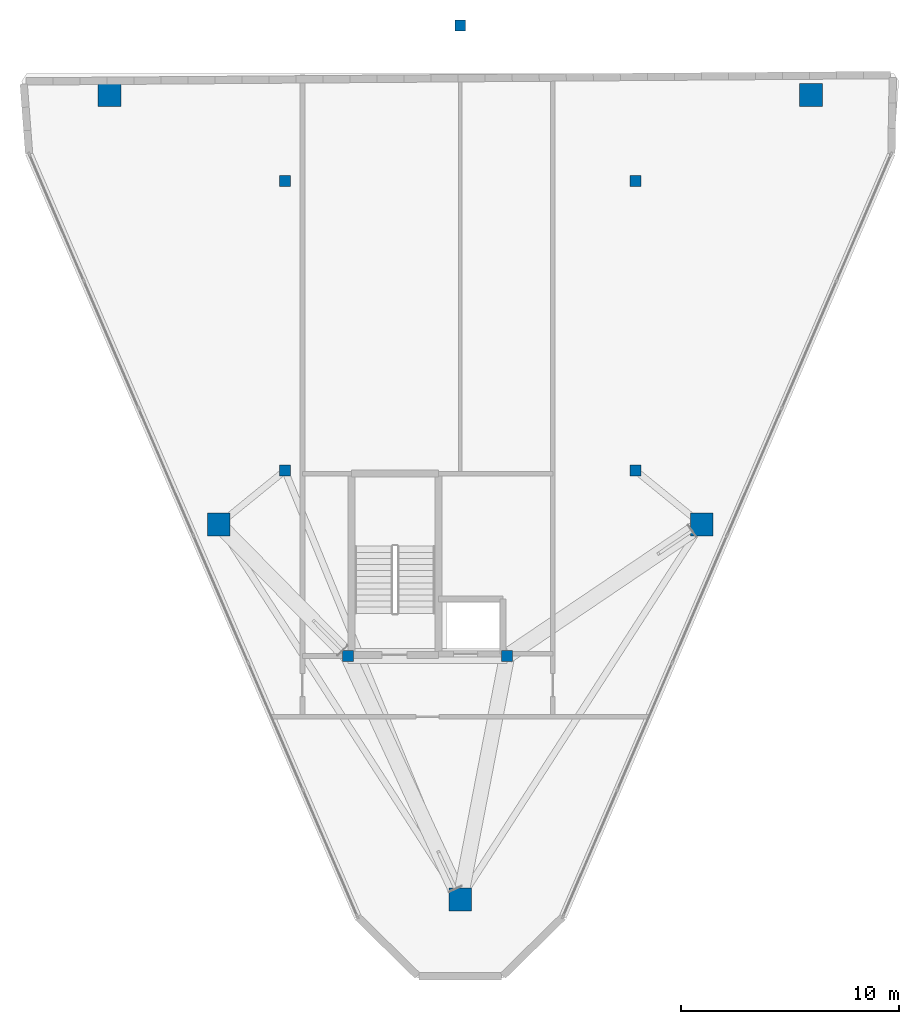
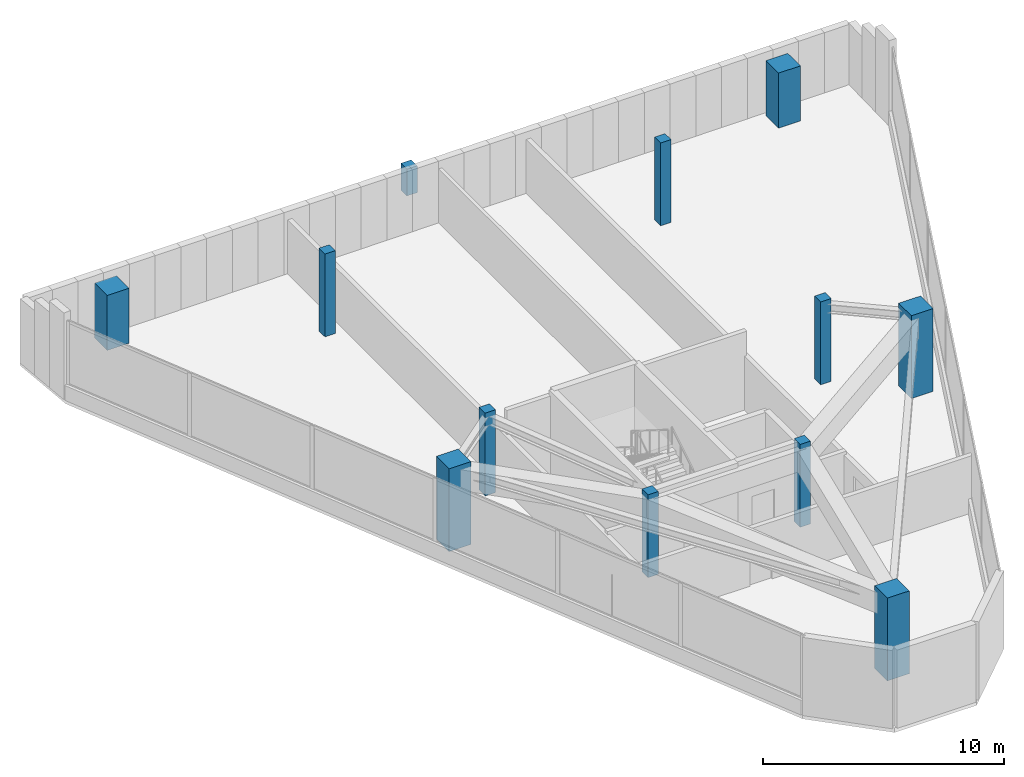
# One storey, part 1 of 7: 12 columns.
"""IFC4 building model written with IfcOpenShell, lengths in metres."""

from ifc_helpers import new_model, si_unit, direction, frame, origin, origin_2d, place, context, subcontext, project, spatial, rectangle, extrude, material, material_profile, profile_set, type_object, element, save


model = new_model("IFC4")

# Units and contexts
model_context = context("Model", 3, precision=1e-05, world=origin(), true_north=direction((0.0, 1.0)))
body_context = subcontext(model_context, "Body", "Model", "MODEL_VIEW")
ifc_project = project(units=[si_unit("LENGTHUNIT", "METRE"), si_unit("AREAUNIT", "SQUARE_METRE"), si_unit("VOLUMEUNIT", "CUBIC_METRE"), si_unit("PLANEANGLEUNIT", "RADIAN"), si_unit("MASSUNIT", "GRAM", prefix="KILO")], contexts=[model_context])

# Site, building, storey
site_placement = place(None, origin())
site = spatial("IfcSite", under=ifc_project, at=site_placement, CompositionType="ELEMENT")
building_placement = place(site_placement, origin())
building = spatial("IfcBuilding", under=site, at=building_placement, Name="Talyreon Biosciences Tower", CompositionType="ELEMENT")
storey_placement = place(building_placement, frame((0.0, 0.0, 321.39990234375)))
storey = spatial("IfcBuildingStorey", under=building, at=storey_placement, Name="L85", CompositionType="ELEMENT", Elevation=321.39990234375)

# Columns
ifc_material = material(Name="Concrete C50/60", Category="concrete")
ifc_material_profile_1 = material_profile(ifc_material, rectangle(XDim=0.5, YDim=0.5, at=origin_2d()), Name="RC 500x500")
ifc_profile_set_1 = profile_set([ifc_material_profile_1], Name="Concrete C50/60")
column_type_1 = type_object("IfcColumnType", Name="CrownColumn_500", PredefinedType="COLUMN", material=ifc_profile_set_1)
for number, where, z_axis, x_axis, name in (
    (1, (57.949951171875, 61.35009765625, 0.0), (0.0, 0.0, 1.0), (1.0, 0.0, 0.0), "L85 Core Column CC1"),
    (2, (74.050048828125, 61.35009765625, 0.0), (0.0, 0.0, 1.0), (1.0, 0.0, 0.0), "L85 Core Column CC2"),
    (3, (74.050048828125, 74.64990234375, 0.0), (0.0, 0.0, 1.0), (1.0, 0.0, 0.0), "L85 Core Column CC3"),
    (4, (57.949951171875, 74.64990234375, 0.0), (0.0, 0.0, 1.0), (1.0, 0.0, 0.0), "L85 Core Column CC4"),
    (5, (60.85009765625, 52.840087890625, 0.0), (0.0, 0.0, 1.0), (1.0, 0.0, 0.0), "L85 Core Column CSW"),
    (6, (68.14990234375, 52.840087890625, 0.0), (0.0, 0.0, 1.0), (1.0, 0.0, 0.0), "L85 Core Column CSE"),
):
    element("IfcColumn", number, at=place(storey_placement, frame(where, z_axis=z_axis, x_axis=x_axis)), inside=storey, type_object=column_type_1, Name=name, PredefinedType="COLUMN", context=body_context, shape_type="SweptSolid", body=[
        extrude(rectangle(XDim=0.5, YDim=0.5, at=origin_2d()), origin(), (0.0, 0.0, 1.0), 4.2001953125),
    ])
column_1_placement = place(storey_placement, frame((66.0, 81.788818359375, 0.0), z_axis=(0.0, 0.0, 1.0), x_axis=(1.0, 0.0, 0.0)))
element("IfcColumn", 7, at=column_1_placement, inside=storey, type_object=column_type_1, Name="Crown Roof Support Post MC5", PredefinedType="COLUMN", context=body_context, shape_type="SweptSolid", body=[
    extrude(rectangle(XDim=0.5, YDim=0.5, at=origin_2d()), origin(), (0.0, 0.0, 1.0), 1.355224609375),
])
ifc_material_profile_2 = material_profile(ifc_material, rectangle(XDim=1.050048828125, YDim=1.050048828125, at=origin_2d()), Name="RC 1050x1050")
ifc_profile_set_2 = profile_set([ifc_material_profile_2], Name="Concrete C50/60")
column_type_2 = type_object("IfcColumnType", Name="MegaColumn_1050", PredefinedType="COLUMN", material=ifc_profile_set_2)
column_2_placement = place(storey_placement, frame((66.0, 41.6669921875, 0.0), z_axis=(0.0, 0.0, 1.0), x_axis=(1.0, 0.0, 0.0)))
element("IfcColumn", 8, at=column_2_placement, inside=storey, type_object=column_type_2, Name="L85 Composite Mega-Column MC1", PredefinedType="COLUMN", context=body_context, shape_type="SweptSolid", body=[
    extrude(rectangle(XDim=1.050048828125, YDim=1.050048828125, at=origin_2d()), origin(), (0.0, 0.0, 1.0), 4.2001953125),
])
for number, where, z_axis, x_axis, name in (
    (9, (82.102294921875, 78.5986328125, 0.0), (0.0, 0.0, 1.0), (1.0, 0.0, 0.0), "L85 Composite Mega-Column MC2"),
    (10, (49.897705078125, 78.5986328125, 0.0), (0.0, 0.0, 1.0), (1.0, 0.0, 0.0), "L85 Composite Mega-Column MC3"),
):
    element("IfcColumn", number, at=place(storey_placement, frame(where, z_axis=z_axis, x_axis=x_axis)), inside=storey, type_object=column_type_2, Name=name, PredefinedType="COLUMN", context=body_context, shape_type="SweptSolid", body=[
        extrude(rectangle(XDim=1.050048828125, YDim=1.050048828125, at=origin_2d()), origin(), (0.0, 0.0, 1.0), 2.79248046875),
    ])
for number, where, z_axis, x_axis, name in (
    (11, (77.086181640625, 58.88037109375, 0.0), (0.0, 0.0, 1.0), (1.0, 0.0, 0.0), "L85 Composite Mega-Column MC4"),
    (12, (54.913818359375, 58.88037109375, 0.0), (0.0, 0.0, 1.0), (1.0, 0.0, 0.0), "L85 Composite Mega-Column MC6"),
):
    element("IfcColumn", number, at=place(storey_placement, frame(where, z_axis=z_axis, x_axis=x_axis)), inside=storey, type_object=column_type_2, Name=name, PredefinedType="COLUMN", context=body_context, shape_type="SweptSolid", body=[
        extrude(rectangle(XDim=1.050048828125, YDim=1.050048828125, at=origin_2d()), origin(), (0.0, 0.0, 1.0), 4.2001953125),
    ])

save(model, "model.ifc")
